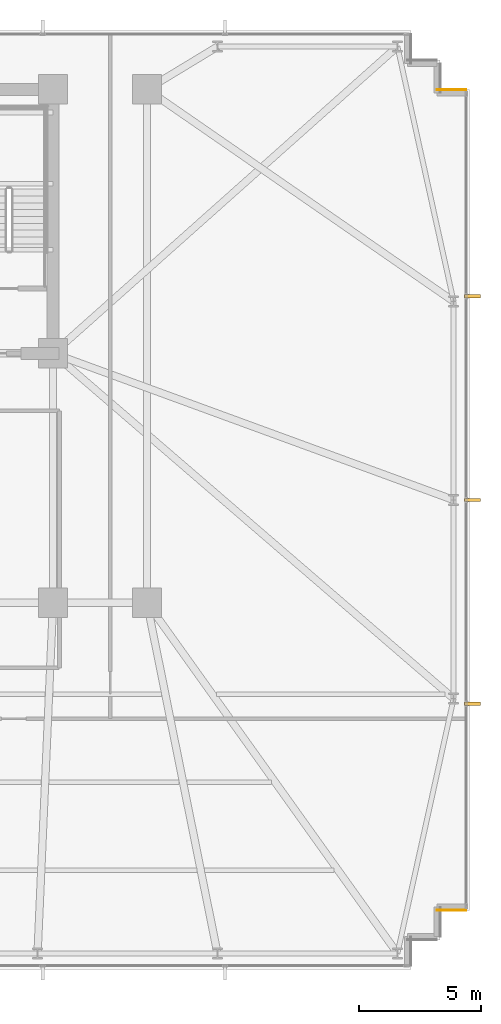
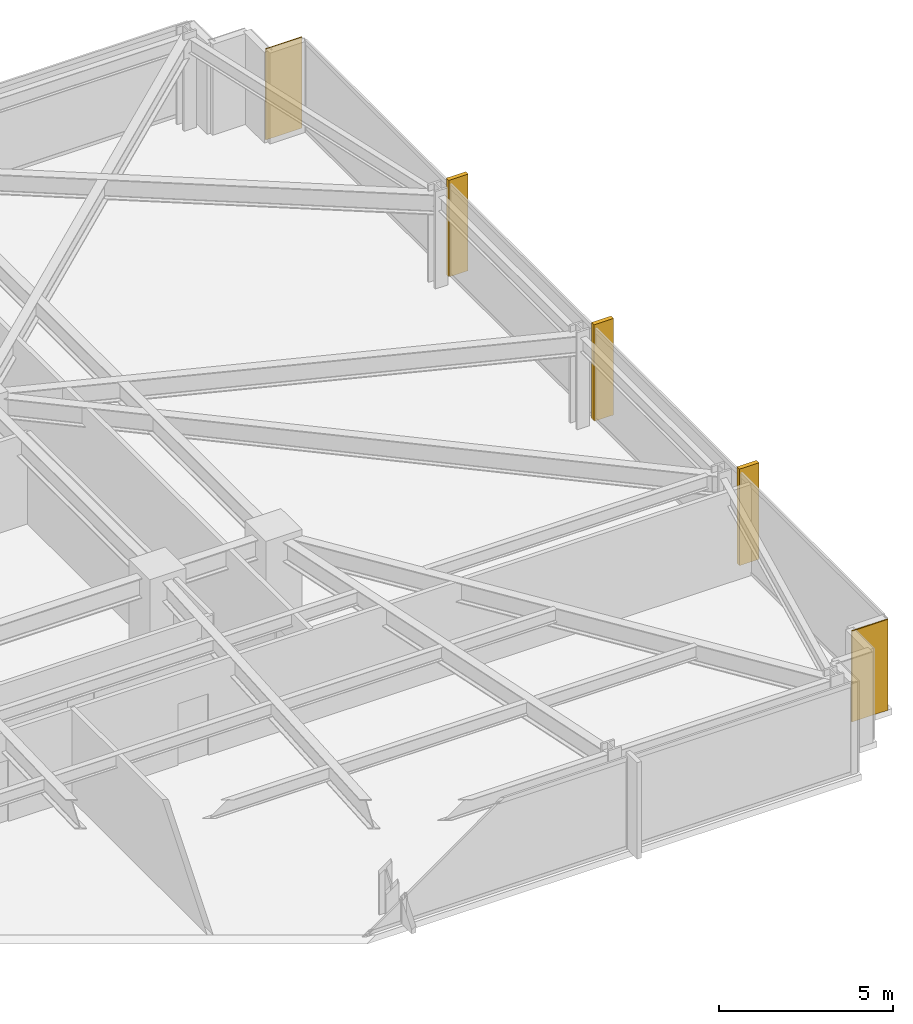
# One storey, part 33 of 33: 3 shading devices, 2 coverings.
"""IFC4 building model written with IfcOpenShell, lengths in metres."""

from ifc_helpers import new_model, si_unit, direction, frame, frame_2d, origin, origin_2d, place, context, subcontext, project, spatial, rectangle, extrude, material, layer, layer_set, type_object, element, save


model = new_model("IFC4")

# Units and contexts
model_context = context("Model", 3, precision=1e-05, world=origin(), true_north=direction((0.0, 1.0)))
body_context = subcontext(model_context, "Body", "Model", "MODEL_VIEW")
ifc_project = project(units=[si_unit("LENGTHUNIT", "METRE"), si_unit("AREAUNIT", "SQUARE_METRE"), si_unit("VOLUMEUNIT", "CUBIC_METRE"), si_unit("PLANEANGLEUNIT", "RADIAN"), si_unit("MASSUNIT", "GRAM", prefix="KILO")], contexts=[model_context])

# Site, building, storey
site_placement = place(None, origin())
site = spatial("IfcSite", under=ifc_project, at=site_placement, CompositionType="ELEMENT")
building_placement = place(site_placement, origin())
building = spatial("IfcBuilding", under=site, at=building_placement, Name="Yelkora Congress Tower", CompositionType="ELEMENT")
storey_placement = place(building_placement, frame((0.0, 0.0, 71.199951171875)))
storey = spatial("IfcBuildingStorey", under=building, at=storey_placement, Name="L18", CompositionType="ELEMENT", Elevation=71.199951171875)

# Coverings
ifc_material_1 = material(Name="Anatolian bush-hammered limestone", Category="masonry")
ifc_layer_1 = layer(ifc_material_1, 0.0400390625)
ifc_layer_set_1 = layer_set([ifc_layer_1], Name="Anatolian bush-hammered limestone")
covering_type = type_object("IfcCoveringType", Name="COV-CLAD-SPANDREL-40", PredefinedType="CLADDING", material=ifc_layer_set_1)
for number, where, z_axis, x_axis, name in (
    (1, (69.4599609375, 46.195068359375, 0.0), (0.0, 0.0, 1.0), (1.0, 0.0, 0.0), "L18 Anatolian Limestone Cladding EW-L18-SR14"),
    (2, (70.659912109375, 12.60498046875, 0.0), (0.0, 0.0, 1.0), (-1.0, 0.0, 0.0), "L18 Anatolian Limestone Cladding EW-L18-SR16"),
):
    element("IfcCovering", number, at=place(storey_placement, frame(where, z_axis=z_axis, x_axis=x_axis)), inside=storey, type_object=covering_type, Name=name, PredefinedType="CLADDING", context=body_context, shape_type="SweptSolid", body=[
        extrude(rectangle(XDim=1.199951171875, YDim=0.0400390625, at=frame_2d((0.60009765625, 0.0))), origin(), (0.0, 0.0, 1.0), 3.179931640625),
    ])

# Shading devices
ifc_material_2 = material(Name="Champagne anodised aluminium", Category="aluminium")
ifc_layer_2 = layer(ifc_material_2, 3.39990234375)
ifc_layer_set_2 = layer_set([ifc_layer_2], Name="Champagne anodised aluminium")
shading_device_type = type_object("IfcShadingDeviceType", Name="SHD-FIN-ALU-640", PredefinedType="USERDEFINED", material=ifc_layer_set_2)
for number, where, z_axis, x_axis, name in (
    (3, (70.919921875, 37.72998046875, -0.02978515625), (0.0, 0.0, 1.0), (0.0, -1.0, 0.0), "L18 Vertical Anodised Solar Fin 15-1"),
    (4, (70.919921875, 29.39990234375, -0.02978515625), (0.0, 0.0, 1.0), (0.0, -1.0, 0.0), "L18 Vertical Anodised Solar Fin 15-2"),
    (5, (70.919921875, 21.070068359375, -0.02978515625), (0.0, 0.0, 1.0), (0.0, -1.0, 0.0), "L18 Vertical Anodised Solar Fin 15-3"),
):
    element("IfcShadingDevice", number, at=place(storey_placement, frame(where, z_axis=z_axis, x_axis=x_axis)), inside=storey, type_object=shading_device_type, Name=name, ObjectType="FIN", PredefinedType="USERDEFINED", context=body_context, shape_type="SweptSolid", body=[
        extrude(rectangle(XDim=0.139892578125, YDim=0.639892578125, at=origin_2d()), origin(), (0.0, 0.0, 1.0), 3.3798828125),
    ])

save(model, "model.ifc")
